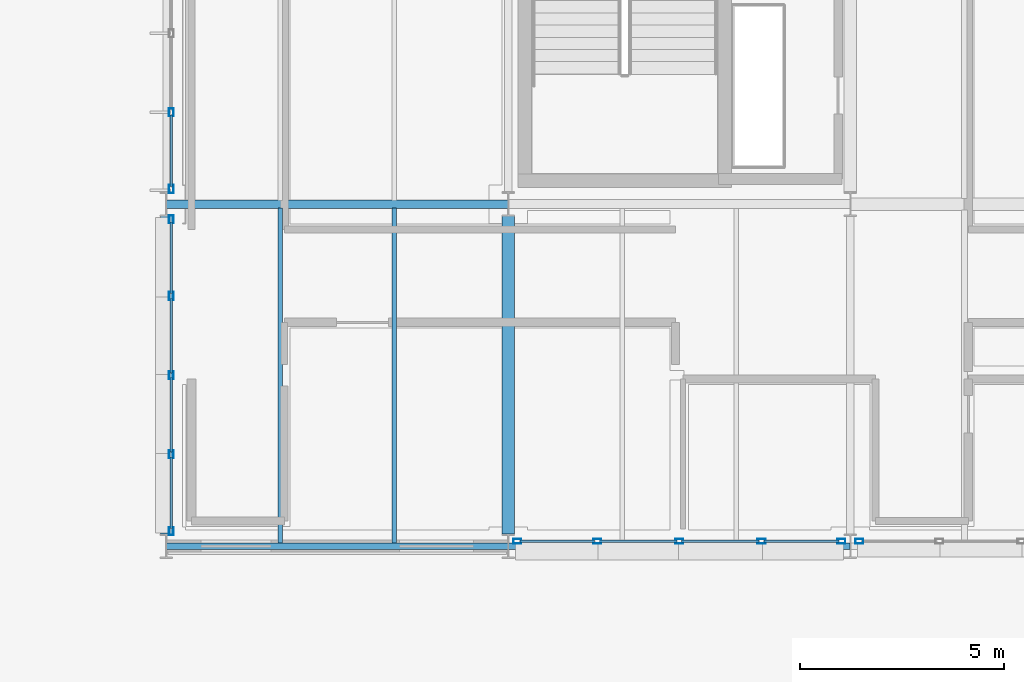
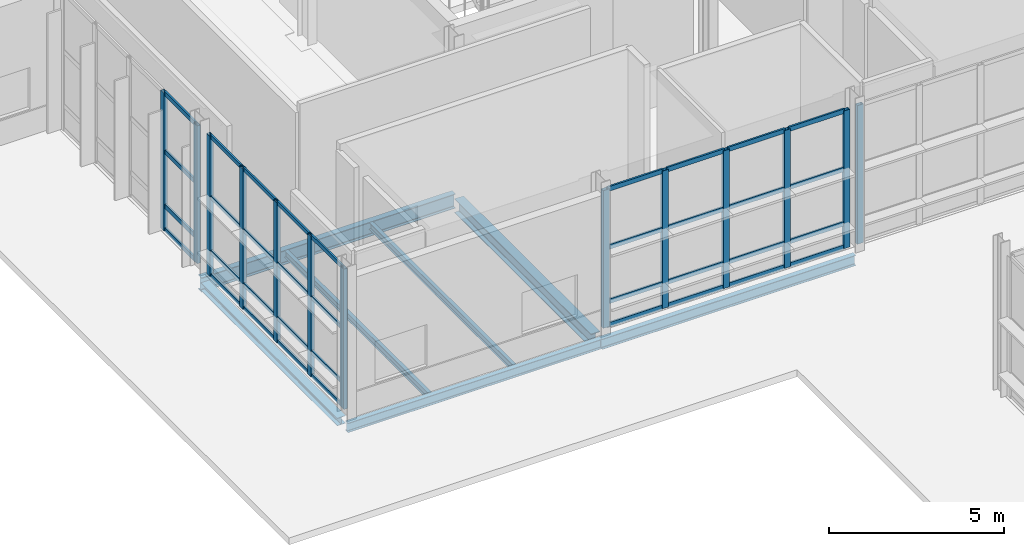
# One storey, part 63 of 124: 49 members, 7 beams, 4 elements without a shape of their own.
"""IFC4 building model written with IfcOpenShell, lengths in metres."""

from ifc_helpers import new_model, si_unit, direction, frame, origin, origin_2d, place, context, subcontext, project, spatial, hollow_rectangle, i_section, extrude, material, material_profile, profile_set, type_object, element, aggregate, save


model = new_model("IFC4")

# Units and contexts
model_context = context("Model", 3, precision=1e-05, world=origin(), true_north=direction((0.0, 1.0)))
body_context = subcontext(model_context, "Body", "Model", "MODEL_VIEW")
ifc_project = project(units=[si_unit("LENGTHUNIT", "METRE"), si_unit("AREAUNIT", "SQUARE_METRE"), si_unit("VOLUMEUNIT", "CUBIC_METRE"), si_unit("PLANEANGLEUNIT", "RADIAN"), si_unit("MASSUNIT", "GRAM", prefix="KILO")], contexts=[model_context])

# Site, building, storey
site_placement = place(None, origin())
site = spatial("IfcSite", under=ifc_project, at=site_placement, CompositionType="ELEMENT")
building_placement = place(site_placement, origin())
building = spatial("IfcBuilding", under=site, at=building_placement, Name="Mersafa Astral City Hall", CompositionType="ELEMENT")
storey_placement = place(building_placement, origin())
storey = spatial("IfcBuildingStorey", under=building, at=storey_placement, Name="L00", CompositionType="ELEMENT", Elevation=0.0)

# Curtain wall, members
ifc_material_1 = material(Name="Anodised bronze aluminium framing", Category="aluminium")
curtain_wall_type_1 = type_object("IfcCurtainWallType", Name="ENV-CW-5", PredefinedType="USERDEFINED", material=ifc_material_1)
curtain_wall_1_placement = place(storey_placement, origin())
curtain_wall_1 = element("IfcCurtainWall", 1, at=curtain_wall_1_placement, inside=storey, type_object=curtain_wall_type_1, Name="L00 Unitised solar curtain wall 16", ObjectType="UNITISED CURTAIN WALL", PredefinedType="USERDEFINED")
ifc_material_profile_1 = material_profile(ifc_material_1, hollow_rectangle(XDim=0.1201171875, YDim=0.199951171875, WallThickness=0.008056640625, at=origin_2d()), Name="RHS 120x200x8")
ifc_profile_set_1 = profile_set([ifc_material_profile_1], Name="Anodised bronze aluminium framing")
member_type_1 = type_object("IfcMemberType", Name="ENV-CW-MUL-2", PredefinedType="MULLION", material=ifc_profile_set_1)
member_1_placement = place(storey_placement, frame((142.919921875, 111.4560546875, -0.001953125), z_axis=(0.0, 0.0, 1.0), x_axis=(1.0, 0.0, 0.0)))
member_1 = element("IfcMember", 2, at=member_1_placement, type_object=member_type_1, Name="CW-5 mullion 4", PredefinedType="MULLION", context=body_context, shape_type="SweptSolid", body=[
    extrude(hollow_rectangle(XDim=0.1201171875, YDim=0.199951171875, WallThickness=0.008056640625, at=origin_2d()), origin(), (0.0, 0.0, 1.0), 4.81396484375),
])
member_2_placement = place(storey_placement, frame((142.919921875, 109.572021484375, -0.001953125), z_axis=(0.0, 0.0, 1.0), x_axis=(1.0, 0.0, 0.0)))
member_2 = element("IfcMember", 3, at=member_2_placement, type_object=member_type_1, Name="CW-5 mullion 5", PredefinedType="MULLION", context=body_context, shape_type="SweptSolid", body=[
    extrude(hollow_rectangle(XDim=0.1201171875, YDim=0.199951171875, WallThickness=0.008056640625, at=origin_2d()), origin(), (0.0, 0.0, 1.0), 4.81396484375),
])

curtain_wall_type_2 = type_object("IfcCurtainWallType", Name="ENV-CW-6", PredefinedType="USERDEFINED", material=ifc_material_1)
curtain_wall_2_placement = place(storey_placement, origin())
curtain_wall_2 = element("IfcCurtainWall", 4, at=curtain_wall_2_placement, inside=storey, type_object=curtain_wall_type_2, Name="L00 Unitised solar curtain wall 17", ObjectType="UNITISED CURTAIN WALL", PredefinedType="USERDEFINED")
member_3_placement = place(storey_placement, frame((142.919921875, 108.827880859375, -0.001953125), z_axis=(0.0, 0.0, 1.0), x_axis=(1.0, 0.0, 0.0)))
member_3 = element("IfcMember", 5, at=member_3_placement, type_object=member_type_1, Name="CW-6 mullion 1", PredefinedType="MULLION", context=body_context, shape_type="SweptSolid", body=[
    extrude(hollow_rectangle(XDim=0.1201171875, YDim=0.199951171875, WallThickness=0.008056640625, at=origin_2d()), origin(), (0.0, 0.0, 1.0), 4.904052734375),
])
member_4_placement = place(storey_placement, frame((142.919921875, 106.944091796875, -0.001953125), z_axis=(0.0, 0.0, 1.0), x_axis=(1.0, 0.0, 0.0)))
member_4 = element("IfcMember", 6, at=member_4_placement, type_object=member_type_1, Name="CW-6 mullion 2", PredefinedType="MULLION", context=body_context, shape_type="SweptSolid", body=[
    extrude(hollow_rectangle(XDim=0.1201171875, YDim=0.199951171875, WallThickness=0.008056640625, at=origin_2d()), origin(), (0.0, 0.0, 1.0), 4.904052734375),
])
member_5_placement = place(storey_placement, frame((142.919921875, 105.0, -0.001953125), z_axis=(0.0, 0.0, 1.0), x_axis=(1.0, 0.0, 0.0)))
member_5 = element("IfcMember", 7, at=member_5_placement, type_object=member_type_1, Name="CW-6 mullion 3", PredefinedType="MULLION", context=body_context, shape_type="SweptSolid", body=[
    extrude(hollow_rectangle(XDim=0.1201171875, YDim=0.199951171875, WallThickness=0.008056640625, at=origin_2d()), origin(), (0.0, 0.0, 1.0), 4.904052734375),
])
member_6_placement = place(storey_placement, frame((142.919921875, 103.055908203125, -0.001953125), z_axis=(0.0, 0.0, 1.0), x_axis=(1.0, 0.0, 0.0)))
member_6 = element("IfcMember", 8, at=member_6_placement, type_object=member_type_1, Name="CW-6 mullion 4", PredefinedType="MULLION", context=body_context, shape_type="SweptSolid", body=[
    extrude(hollow_rectangle(XDim=0.1201171875, YDim=0.199951171875, WallThickness=0.008056640625, at=origin_2d()), origin(), (0.0, 0.0, 1.0), 4.904052734375),
])
member_7_placement = place(storey_placement, frame((142.919921875, 101.172119140625, -0.001953125), z_axis=(0.0, 0.0, 1.0), x_axis=(1.0, 0.0, 0.0)))
member_7 = element("IfcMember", 9, at=member_7_placement, type_object=member_type_1, Name="CW-6 mullion 5", PredefinedType="MULLION", context=body_context, shape_type="SweptSolid", body=[
    extrude(hollow_rectangle(XDim=0.1201171875, YDim=0.199951171875, WallThickness=0.008056640625, at=origin_2d()), origin(), (0.0, 0.0, 1.0), 4.904052734375),
])

curtain_wall_type_3 = type_object("IfcCurtainWallType", Name="ENV-CW-1", PredefinedType="USERDEFINED", material=ifc_material_1)
curtain_wall_3_placement = place(storey_placement, origin())
curtain_wall_3 = element("IfcCurtainWall", 10, at=curtain_wall_3_placement, inside=storey, type_object=curtain_wall_type_3, Name="L00 Unitised solar curtain wall 18", ObjectType="UNITISED CURTAIN WALL", PredefinedType="USERDEFINED")
member_8_placement = place(storey_placement, frame((151.422119140625, 100.919921875, -0.001953125), z_axis=(0.0, 0.0, 1.0), x_axis=(0.0, 1.0, 0.0)))
member_8 = element("IfcMember", 11, at=member_8_placement, type_object=member_type_1, Name="CW-1 mullion 1", PredefinedType="MULLION", context=body_context, shape_type="SweptSolid", body=[
    extrude(hollow_rectangle(XDim=0.1201171875, YDim=0.199951171875, WallThickness=0.008056640625, at=origin_2d()), origin(), (0.0, 0.0, 1.0), 4.81396484375),
])
member_9_placement = place(storey_placement, frame((153.381103515625, 100.919921875, -0.001953125), z_axis=(0.0, 0.0, 1.0), x_axis=(0.0, 1.0, 0.0)))
member_9 = element("IfcMember", 12, at=member_9_placement, type_object=member_type_1, Name="CW-1 mullion 2", PredefinedType="MULLION", context=body_context, shape_type="SweptSolid", body=[
    extrude(hollow_rectangle(XDim=0.1201171875, YDim=0.199951171875, WallThickness=0.008056640625, at=origin_2d()), origin(), (0.0, 0.0, 1.0), 4.81396484375),
])
member_10_placement = place(storey_placement, frame((155.39990234375, 100.919921875, -0.001953125), z_axis=(0.0, 0.0, 1.0), x_axis=(0.0, 1.0, 0.0)))
member_10 = element("IfcMember", 13, at=member_10_placement, type_object=member_type_1, Name="CW-1 mullion 3", PredefinedType="MULLION", context=body_context, shape_type="SweptSolid", body=[
    extrude(hollow_rectangle(XDim=0.1201171875, YDim=0.199951171875, WallThickness=0.008056640625, at=origin_2d()), origin(), (0.0, 0.0, 1.0), 4.81396484375),
])
member_11_placement = place(storey_placement, frame((157.4189453125, 100.919921875, -0.001953125), z_axis=(0.0, 0.0, 1.0), x_axis=(0.0, 1.0, 0.0)))
member_11 = element("IfcMember", 14, at=member_11_placement, type_object=member_type_1, Name="CW-1 mullion 4", PredefinedType="MULLION", context=body_context, shape_type="SweptSolid", body=[
    extrude(hollow_rectangle(XDim=0.1201171875, YDim=0.199951171875, WallThickness=0.008056640625, at=origin_2d()), origin(), (0.0, 0.0, 1.0), 4.81396484375),
])
member_12_placement = place(storey_placement, frame((159.3779296875, 100.919921875, -0.001953125), z_axis=(0.0, 0.0, 1.0), x_axis=(0.0, 1.0, 0.0)))
member_12 = element("IfcMember", 15, at=member_12_placement, type_object=member_type_1, Name="CW-1 mullion 5", PredefinedType="MULLION", context=body_context, shape_type="SweptSolid", body=[
    extrude(hollow_rectangle(XDim=0.1201171875, YDim=0.199951171875, WallThickness=0.008056640625, at=origin_2d()), origin(), (0.0, 0.0, 1.0), 4.81396484375),
])

# Curtain wall, member
curtain_wall_type_4 = type_object("IfcCurtainWallType", Name="ENV-CW-2", PredefinedType="USERDEFINED", material=ifc_material_1)
curtain_wall_4_placement = place(storey_placement, origin())
curtain_wall_4 = element("IfcCurtainWall", 16, at=curtain_wall_4_placement, inside=storey, type_object=curtain_wall_type_4, Name="L00 Unitised solar curtain wall 19", ObjectType="UNITISED CURTAIN WALL", PredefinedType="USERDEFINED")
member_13_placement = place(storey_placement, frame((159.822021484375, 100.919921875, -0.001953125), z_axis=(0.0, 0.0, 1.0), x_axis=(0.0, 1.0, 0.0)))
member_13 = element("IfcMember", 17, at=member_13_placement, type_object=member_type_1, Name="CW-2 mullion 1", PredefinedType="MULLION", context=body_context, shape_type="SweptSolid", body=[
    extrude(hollow_rectangle(XDim=0.1201171875, YDim=0.199951171875, WallThickness=0.008056640625, at=origin_2d()), origin(), (0.0, 0.0, 1.0), 4.843994140625),
])
aggregate(curtain_wall_4, [member_13])

# Member
ifc_material_profile_2 = material_profile(ifc_material_1, hollow_rectangle(XDim=0.06005859375, YDim=0.139892578125, WallThickness=0.00390625, at=origin_2d()), Name="RHS 60x140x4")
ifc_profile_set_2 = profile_set([ifc_material_profile_2], Name="Anodised bronze aluminium framing")
member_type_2 = type_object("IfcMemberType", Name="ENV-CW-TRN-1", PredefinedType="USERDEFINED", material=ifc_profile_set_2)
member_14_placement = place(storey_placement, frame((142.919921875, 108.76806640625, 0.028076171875), z_axis=(0.0, -1.0, 0.0), x_axis=(1.0, 0.0, 0.0)))
member_14 = element("IfcMember", 18, at=member_14_placement, type_object=member_type_2, Name="CW-6 transom 1.1", ObjectType="TRANSOM", PredefinedType="USERDEFINED", context=body_context, shape_type="SweptSolid", body=[
    extrude(hollow_rectangle(XDim=0.06005859375, YDim=0.139892578125, WallThickness=0.00390625, at=origin_2d()), origin(), (0.0, 0.0, 1.0), 1.76416015625),
])

member_15_placement = place(storey_placement, frame((142.919921875, 108.76806640625, 0.85009765625), z_axis=(0.0, -1.0, 0.0), x_axis=(1.0, 0.0, 0.0)))
member_15 = element("IfcMember", 19, at=member_15_placement, type_object=member_type_2, Name="CW-6 transom 1.2", ObjectType="TRANSOM", PredefinedType="USERDEFINED", context=body_context, shape_type="SweptSolid", body=[
    extrude(hollow_rectangle(XDim=0.06005859375, YDim=0.139892578125, WallThickness=0.00390625, at=origin_2d()), origin(), (0.0, 0.0, 1.0), 1.76416015625),
])

member_16_placement = place(storey_placement, frame((142.919921875, 108.76806640625, 2.75), z_axis=(0.0, -1.0, 0.0), x_axis=(1.0, 0.0, 0.0)))
member_16 = element("IfcMember", 20, at=member_16_placement, type_object=member_type_2, Name="CW-6 transom 1.3", ObjectType="TRANSOM", PredefinedType="USERDEFINED", context=body_context, shape_type="SweptSolid", body=[
    extrude(hollow_rectangle(XDim=0.06005859375, YDim=0.139892578125, WallThickness=0.00390625, at=origin_2d()), origin(), (0.0, 0.0, 1.0), 1.76416015625),
])

member_17_placement = place(storey_placement, frame((142.919921875, 108.76806640625, 4.8720703125), z_axis=(0.0, -1.0, 0.0), x_axis=(1.0, 0.0, 0.0)))
member_17 = element("IfcMember", 21, at=member_17_placement, type_object=member_type_2, Name="CW-6 transom 1.4", ObjectType="TRANSOM", PredefinedType="USERDEFINED", context=body_context, shape_type="SweptSolid", body=[
    extrude(hollow_rectangle(XDim=0.06005859375, YDim=0.139892578125, WallThickness=0.00390625, at=origin_2d()), origin(), (0.0, 0.0, 1.0), 1.76416015625),
])

member_18_placement = place(storey_placement, frame((142.919921875, 106.884033203125, 0.028076171875), z_axis=(0.0, -1.0, 0.0), x_axis=(1.0, 0.0, 0.0)))
member_18 = element("IfcMember", 22, at=member_18_placement, type_object=member_type_2, Name="CW-6 transom 2.1", ObjectType="TRANSOM", PredefinedType="USERDEFINED", context=body_context, shape_type="SweptSolid", body=[
    extrude(hollow_rectangle(XDim=0.06005859375, YDim=0.139892578125, WallThickness=0.00390625, at=origin_2d()), origin(), (0.0, 0.0, 1.0), 1.823974609375),
])

member_19_placement = place(storey_placement, frame((142.919921875, 106.884033203125, 0.85009765625), z_axis=(0.0, -1.0, 0.0), x_axis=(1.0, 0.0, 0.0)))
member_19 = element("IfcMember", 23, at=member_19_placement, type_object=member_type_2, Name="CW-6 transom 2.2", ObjectType="TRANSOM", PredefinedType="USERDEFINED", context=body_context, shape_type="SweptSolid", body=[
    extrude(hollow_rectangle(XDim=0.06005859375, YDim=0.139892578125, WallThickness=0.00390625, at=origin_2d()), origin(), (0.0, 0.0, 1.0), 1.823974609375),
])

member_20_placement = place(storey_placement, frame((142.919921875, 106.884033203125, 2.75), z_axis=(0.0, -1.0, 0.0), x_axis=(1.0, 0.0, 0.0)))
member_20 = element("IfcMember", 24, at=member_20_placement, type_object=member_type_2, Name="CW-6 transom 2.3", ObjectType="TRANSOM", PredefinedType="USERDEFINED", context=body_context, shape_type="SweptSolid", body=[
    extrude(hollow_rectangle(XDim=0.06005859375, YDim=0.139892578125, WallThickness=0.00390625, at=origin_2d()), origin(), (0.0, 0.0, 1.0), 1.823974609375),
])

member_21_placement = place(storey_placement, frame((142.919921875, 106.884033203125, 4.8720703125), z_axis=(0.0, -1.0, 0.0), x_axis=(1.0, 0.0, 0.0)))
member_21 = element("IfcMember", 25, at=member_21_placement, type_object=member_type_2, Name="CW-6 transom 2.4", ObjectType="TRANSOM", PredefinedType="USERDEFINED", context=body_context, shape_type="SweptSolid", body=[
    extrude(hollow_rectangle(XDim=0.06005859375, YDim=0.139892578125, WallThickness=0.00390625, at=origin_2d()), origin(), (0.0, 0.0, 1.0), 1.823974609375),
])

member_22_placement = place(storey_placement, frame((142.919921875, 104.93994140625, 0.028076171875), z_axis=(0.0, -1.0, 0.0), x_axis=(1.0, 0.0, 0.0)))
member_22 = element("IfcMember", 26, at=member_22_placement, type_object=member_type_2, Name="CW-6 transom 3.1", ObjectType="TRANSOM", PredefinedType="USERDEFINED", context=body_context, shape_type="SweptSolid", body=[
    extrude(hollow_rectangle(XDim=0.06005859375, YDim=0.139892578125, WallThickness=0.00390625, at=origin_2d()), origin(), (0.0, 0.0, 1.0), 1.823974609375),
])

member_23_placement = place(storey_placement, frame((142.919921875, 104.93994140625, 0.85009765625), z_axis=(0.0, -1.0, 0.0), x_axis=(1.0, 0.0, 0.0)))
member_23 = element("IfcMember", 27, at=member_23_placement, type_object=member_type_2, Name="CW-6 transom 3.2", ObjectType="TRANSOM", PredefinedType="USERDEFINED", context=body_context, shape_type="SweptSolid", body=[
    extrude(hollow_rectangle(XDim=0.06005859375, YDim=0.139892578125, WallThickness=0.00390625, at=origin_2d()), origin(), (0.0, 0.0, 1.0), 1.823974609375),
])

member_24_placement = place(storey_placement, frame((142.919921875, 104.93994140625, 2.75), z_axis=(0.0, -1.0, 0.0), x_axis=(1.0, 0.0, 0.0)))
member_24 = element("IfcMember", 28, at=member_24_placement, type_object=member_type_2, Name="CW-6 transom 3.3", ObjectType="TRANSOM", PredefinedType="USERDEFINED", context=body_context, shape_type="SweptSolid", body=[
    extrude(hollow_rectangle(XDim=0.06005859375, YDim=0.139892578125, WallThickness=0.00390625, at=origin_2d()), origin(), (0.0, 0.0, 1.0), 1.823974609375),
])

member_25_placement = place(storey_placement, frame((142.919921875, 104.93994140625, 4.8720703125), z_axis=(0.0, -1.0, 0.0), x_axis=(1.0, 0.0, 0.0)))
member_25 = element("IfcMember", 29, at=member_25_placement, type_object=member_type_2, Name="CW-6 transom 3.4", ObjectType="TRANSOM", PredefinedType="USERDEFINED", context=body_context, shape_type="SweptSolid", body=[
    extrude(hollow_rectangle(XDim=0.06005859375, YDim=0.139892578125, WallThickness=0.00390625, at=origin_2d()), origin(), (0.0, 0.0, 1.0), 1.823974609375),
])

member_26_placement = place(storey_placement, frame((142.919921875, 102.99609375, 0.028076171875), z_axis=(0.0, -1.0, 0.0), x_axis=(1.0, 0.0, 0.0)))
member_26 = element("IfcMember", 30, at=member_26_placement, type_object=member_type_2, Name="CW-6 transom 4.1", ObjectType="TRANSOM", PredefinedType="USERDEFINED", context=body_context, shape_type="SweptSolid", body=[
    extrude(hollow_rectangle(XDim=0.06005859375, YDim=0.139892578125, WallThickness=0.00390625, at=origin_2d()), origin(), (0.0, 0.0, 1.0), 1.76416015625),
])

member_27_placement = place(storey_placement, frame((142.919921875, 102.99609375, 0.85009765625), z_axis=(0.0, -1.0, 0.0), x_axis=(1.0, 0.0, 0.0)))
member_27 = element("IfcMember", 31, at=member_27_placement, type_object=member_type_2, Name="CW-6 transom 4.2", ObjectType="TRANSOM", PredefinedType="USERDEFINED", context=body_context, shape_type="SweptSolid", body=[
    extrude(hollow_rectangle(XDim=0.06005859375, YDim=0.139892578125, WallThickness=0.00390625, at=origin_2d()), origin(), (0.0, 0.0, 1.0), 1.76416015625),
])

member_28_placement = place(storey_placement, frame((142.919921875, 102.99609375, 2.75), z_axis=(0.0, -1.0, 0.0), x_axis=(1.0, 0.0, 0.0)))
member_28 = element("IfcMember", 32, at=member_28_placement, type_object=member_type_2, Name="CW-6 transom 4.3", ObjectType="TRANSOM", PredefinedType="USERDEFINED", context=body_context, shape_type="SweptSolid", body=[
    extrude(hollow_rectangle(XDim=0.06005859375, YDim=0.139892578125, WallThickness=0.00390625, at=origin_2d()), origin(), (0.0, 0.0, 1.0), 1.76416015625),
])

member_29_placement = place(storey_placement, frame((142.919921875, 102.99609375, 4.8720703125), z_axis=(0.0, -1.0, 0.0), x_axis=(1.0, 0.0, 0.0)))
member_29 = element("IfcMember", 33, at=member_29_placement, type_object=member_type_2, Name="CW-6 transom 4.4", ObjectType="TRANSOM", PredefinedType="USERDEFINED", context=body_context, shape_type="SweptSolid", body=[
    extrude(hollow_rectangle(XDim=0.06005859375, YDim=0.139892578125, WallThickness=0.00390625, at=origin_2d()), origin(), (0.0, 0.0, 1.0), 1.76416015625),
])

aggregate(curtain_wall_2, [member_3, member_4, member_5, member_6, member_7, member_14, member_15, member_16, member_17, member_18, member_19, member_20, member_21, member_22, member_23, member_24, member_25, member_26, member_27, member_28, member_29])

ifc_material_profile_3 = material_profile(ifc_material_1, hollow_rectangle(XDim=0.06005859375, YDim=0.159912109375, WallThickness=0.00390625, at=origin_2d()), Name="RHS 60x160x4")
ifc_profile_set_3 = profile_set([ifc_material_profile_3], Name="Anodised bronze aluminium framing")
member_type_3 = type_object("IfcMemberType", Name="ENV-CW-TRN-2", PredefinedType="USERDEFINED", material=ifc_profile_set_3)
member_30_placement = place(storey_placement, frame((142.919921875, 111.39599609375, 0.028076171875), z_axis=(0.0, -1.0, 0.0), x_axis=(1.0, 0.0, 0.0)))
member_30 = element("IfcMember", 34, at=member_30_placement, type_object=member_type_3, Name="CW-5 transom 4.1", ObjectType="TRANSOM", PredefinedType="USERDEFINED", context=body_context, shape_type="SweptSolid", body=[
    extrude(hollow_rectangle(XDim=0.06005859375, YDim=0.159912109375, WallThickness=0.00390625, at=origin_2d()), origin(), (0.0, 0.0, 1.0), 1.763916015625),
])

member_31_placement = place(storey_placement, frame((142.919921875, 111.39599609375, 0.85009765625), z_axis=(0.0, -1.0, 0.0), x_axis=(1.0, 0.0, 0.0)))
member_31 = element("IfcMember", 35, at=member_31_placement, type_object=member_type_3, Name="CW-5 transom 4.2", ObjectType="TRANSOM", PredefinedType="USERDEFINED", context=body_context, shape_type="SweptSolid", body=[
    extrude(hollow_rectangle(XDim=0.06005859375, YDim=0.159912109375, WallThickness=0.00390625, at=origin_2d()), origin(), (0.0, 0.0, 1.0), 1.763916015625),
])

member_32_placement = place(storey_placement, frame((142.919921875, 111.39599609375, 2.75), z_axis=(0.0, -1.0, 0.0), x_axis=(1.0, 0.0, 0.0)))
member_32 = element("IfcMember", 36, at=member_32_placement, type_object=member_type_3, Name="CW-5 transom 4.3", ObjectType="TRANSOM", PredefinedType="USERDEFINED", context=body_context, shape_type="SweptSolid", body=[
    extrude(hollow_rectangle(XDim=0.06005859375, YDim=0.159912109375, WallThickness=0.00390625, at=origin_2d()), origin(), (0.0, 0.0, 1.0), 1.763916015625),
])

member_33_placement = place(storey_placement, frame((142.919921875, 111.39599609375, 4.781982421875), z_axis=(0.0, -1.0, 0.0), x_axis=(1.0, 0.0, 0.0)))
member_33 = element("IfcMember", 37, at=member_33_placement, type_object=member_type_3, Name="CW-5 transom 4.4", ObjectType="TRANSOM", PredefinedType="USERDEFINED", context=body_context, shape_type="SweptSolid", body=[
    extrude(hollow_rectangle(XDim=0.06005859375, YDim=0.159912109375, WallThickness=0.00390625, at=origin_2d()), origin(), (0.0, 0.0, 1.0), 1.763916015625),
])

aggregate(curtain_wall_1, [member_1, member_2, member_30, member_31, member_32, member_33])

member_34_placement = place(storey_placement, frame((151.48193359375, 100.919921875, 0.028076171875), z_axis=(1.0, 0.0, 0.0), x_axis=(0.0, 1.0, 0.0)))
member_34 = element("IfcMember", 38, at=member_34_placement, type_object=member_type_3, Name="CW-1 transom 1.1", ObjectType="TRANSOM", PredefinedType="USERDEFINED", context=body_context, shape_type="SweptSolid", body=[
    extrude(hollow_rectangle(XDim=0.06005859375, YDim=0.159912109375, WallThickness=0.00390625, at=origin_2d()), origin(), (0.0, 0.0, 1.0), 1.839111328125),
])

member_35_placement = place(storey_placement, frame((151.48193359375, 100.919921875, 0.85009765625), z_axis=(1.0, 0.0, 0.0), x_axis=(0.0, 1.0, 0.0)))
member_35 = element("IfcMember", 39, at=member_35_placement, type_object=member_type_3, Name="CW-1 transom 1.2", ObjectType="TRANSOM", PredefinedType="USERDEFINED", context=body_context, shape_type="SweptSolid", body=[
    extrude(hollow_rectangle(XDim=0.06005859375, YDim=0.159912109375, WallThickness=0.00390625, at=origin_2d()), origin(), (0.0, 0.0, 1.0), 1.839111328125),
])

member_36_placement = place(storey_placement, frame((151.48193359375, 100.919921875, 2.75), z_axis=(1.0, 0.0, 0.0), x_axis=(0.0, 1.0, 0.0)))
member_36 = element("IfcMember", 40, at=member_36_placement, type_object=member_type_3, Name="CW-1 transom 1.3", ObjectType="TRANSOM", PredefinedType="USERDEFINED", context=body_context, shape_type="SweptSolid", body=[
    extrude(hollow_rectangle(XDim=0.06005859375, YDim=0.159912109375, WallThickness=0.00390625, at=origin_2d()), origin(), (0.0, 0.0, 1.0), 1.839111328125),
])

member_37_placement = place(storey_placement, frame((151.48193359375, 100.919921875, 4.781982421875), z_axis=(1.0, 0.0, 0.0), x_axis=(0.0, 1.0, 0.0)))
member_37 = element("IfcMember", 41, at=member_37_placement, type_object=member_type_3, Name="CW-1 transom 1.4", ObjectType="TRANSOM", PredefinedType="USERDEFINED", context=body_context, shape_type="SweptSolid", body=[
    extrude(hollow_rectangle(XDim=0.06005859375, YDim=0.159912109375, WallThickness=0.00390625, at=origin_2d()), origin(), (0.0, 0.0, 1.0), 1.839111328125),
])

member_38_placement = place(storey_placement, frame((153.44091796875, 100.919921875, 0.028076171875), z_axis=(1.0, 0.0, 0.0), x_axis=(0.0, 1.0, 0.0)))
member_38 = element("IfcMember", 42, at=member_38_placement, type_object=member_type_3, Name="CW-1 transom 2.1", ObjectType="TRANSOM", PredefinedType="USERDEFINED", context=body_context, shape_type="SweptSolid", body=[
    extrude(hollow_rectangle(XDim=0.06005859375, YDim=0.159912109375, WallThickness=0.00390625, at=origin_2d()), origin(), (0.0, 0.0, 1.0), 1.899169921875),
])

member_39_placement = place(storey_placement, frame((153.44091796875, 100.919921875, 0.85009765625), z_axis=(1.0, 0.0, 0.0), x_axis=(0.0, 1.0, 0.0)))
member_39 = element("IfcMember", 43, at=member_39_placement, type_object=member_type_3, Name="CW-1 transom 2.2", ObjectType="TRANSOM", PredefinedType="USERDEFINED", context=body_context, shape_type="SweptSolid", body=[
    extrude(hollow_rectangle(XDim=0.06005859375, YDim=0.159912109375, WallThickness=0.00390625, at=origin_2d()), origin(), (0.0, 0.0, 1.0), 1.899169921875),
])

member_40_placement = place(storey_placement, frame((153.44091796875, 100.919921875, 2.75), z_axis=(1.0, 0.0, 0.0), x_axis=(0.0, 1.0, 0.0)))
member_40 = element("IfcMember", 44, at=member_40_placement, type_object=member_type_3, Name="CW-1 transom 2.3", ObjectType="TRANSOM", PredefinedType="USERDEFINED", context=body_context, shape_type="SweptSolid", body=[
    extrude(hollow_rectangle(XDim=0.06005859375, YDim=0.159912109375, WallThickness=0.00390625, at=origin_2d()), origin(), (0.0, 0.0, 1.0), 1.899169921875),
])

member_41_placement = place(storey_placement, frame((153.44091796875, 100.919921875, 4.781982421875), z_axis=(1.0, 0.0, 0.0), x_axis=(0.0, 1.0, 0.0)))
member_41 = element("IfcMember", 45, at=member_41_placement, type_object=member_type_3, Name="CW-1 transom 2.4", ObjectType="TRANSOM", PredefinedType="USERDEFINED", context=body_context, shape_type="SweptSolid", body=[
    extrude(hollow_rectangle(XDim=0.06005859375, YDim=0.159912109375, WallThickness=0.00390625, at=origin_2d()), origin(), (0.0, 0.0, 1.0), 1.899169921875),
])

member_42_placement = place(storey_placement, frame((155.4599609375, 100.919921875, 0.028076171875), z_axis=(1.0, 0.0, 0.0), x_axis=(0.0, 1.0, 0.0)))
member_42 = element("IfcMember", 46, at=member_42_placement, type_object=member_type_3, Name="CW-1 transom 3.1", ObjectType="TRANSOM", PredefinedType="USERDEFINED", context=body_context, shape_type="SweptSolid", body=[
    extrude(hollow_rectangle(XDim=0.06005859375, YDim=0.159912109375, WallThickness=0.00390625, at=origin_2d()), origin(), (0.0, 0.0, 1.0), 1.89892578125),
])

member_43_placement = place(storey_placement, frame((155.4599609375, 100.919921875, 0.85009765625), z_axis=(1.0, 0.0, 0.0), x_axis=(0.0, 1.0, 0.0)))
member_43 = element("IfcMember", 47, at=member_43_placement, type_object=member_type_3, Name="CW-1 transom 3.2", ObjectType="TRANSOM", PredefinedType="USERDEFINED", context=body_context, shape_type="SweptSolid", body=[
    extrude(hollow_rectangle(XDim=0.06005859375, YDim=0.159912109375, WallThickness=0.00390625, at=origin_2d()), origin(), (0.0, 0.0, 1.0), 1.89892578125),
])

member_44_placement = place(storey_placement, frame((155.4599609375, 100.919921875, 2.75), z_axis=(1.0, 0.0, 0.0), x_axis=(0.0, 1.0, 0.0)))
member_44 = element("IfcMember", 48, at=member_44_placement, type_object=member_type_3, Name="CW-1 transom 3.3", ObjectType="TRANSOM", PredefinedType="USERDEFINED", context=body_context, shape_type="SweptSolid", body=[
    extrude(hollow_rectangle(XDim=0.06005859375, YDim=0.159912109375, WallThickness=0.00390625, at=origin_2d()), origin(), (0.0, 0.0, 1.0), 1.89892578125),
])

member_45_placement = place(storey_placement, frame((155.4599609375, 100.919921875, 4.781982421875), z_axis=(1.0, 0.0, 0.0), x_axis=(0.0, 1.0, 0.0)))
member_45 = element("IfcMember", 49, at=member_45_placement, type_object=member_type_3, Name="CW-1 transom 3.4", ObjectType="TRANSOM", PredefinedType="USERDEFINED", context=body_context, shape_type="SweptSolid", body=[
    extrude(hollow_rectangle(XDim=0.06005859375, YDim=0.159912109375, WallThickness=0.00390625, at=origin_2d()), origin(), (0.0, 0.0, 1.0), 1.89892578125),
])

member_46_placement = place(storey_placement, frame((157.47900390625, 100.919921875, 0.028076171875), z_axis=(1.0, 0.0, 0.0), x_axis=(0.0, 1.0, 0.0)))
member_46 = element("IfcMember", 50, at=member_46_placement, type_object=member_type_3, Name="CW-1 transom 4.1", ObjectType="TRANSOM", PredefinedType="USERDEFINED", context=body_context, shape_type="SweptSolid", body=[
    extrude(hollow_rectangle(XDim=0.06005859375, YDim=0.159912109375, WallThickness=0.00390625, at=origin_2d()), origin(), (0.0, 0.0, 1.0), 1.839111328125),
])

member_47_placement = place(storey_placement, frame((157.47900390625, 100.919921875, 0.85009765625), z_axis=(1.0, 0.0, 0.0), x_axis=(0.0, 1.0, 0.0)))
member_47 = element("IfcMember", 51, at=member_47_placement, type_object=member_type_3, Name="CW-1 transom 4.2", ObjectType="TRANSOM", PredefinedType="USERDEFINED", context=body_context, shape_type="SweptSolid", body=[
    extrude(hollow_rectangle(XDim=0.06005859375, YDim=0.159912109375, WallThickness=0.00390625, at=origin_2d()), origin(), (0.0, 0.0, 1.0), 1.839111328125),
])

member_48_placement = place(storey_placement, frame((157.47900390625, 100.919921875, 2.75), z_axis=(1.0, 0.0, 0.0), x_axis=(0.0, 1.0, 0.0)))
member_48 = element("IfcMember", 52, at=member_48_placement, type_object=member_type_3, Name="CW-1 transom 4.3", ObjectType="TRANSOM", PredefinedType="USERDEFINED", context=body_context, shape_type="SweptSolid", body=[
    extrude(hollow_rectangle(XDim=0.06005859375, YDim=0.159912109375, WallThickness=0.00390625, at=origin_2d()), origin(), (0.0, 0.0, 1.0), 1.839111328125),
])

member_49_placement = place(storey_placement, frame((157.47900390625, 100.919921875, 4.781982421875), z_axis=(1.0, 0.0, 0.0), x_axis=(0.0, 1.0, 0.0)))
member_49 = element("IfcMember", 53, at=member_49_placement, type_object=member_type_3, Name="CW-1 transom 4.4", ObjectType="TRANSOM", PredefinedType="USERDEFINED", context=body_context, shape_type="SweptSolid", body=[
    extrude(hollow_rectangle(XDim=0.06005859375, YDim=0.159912109375, WallThickness=0.00390625, at=origin_2d()), origin(), (0.0, 0.0, 1.0), 1.839111328125),
])

aggregate(curtain_wall_3, [member_8, member_9, member_10, member_11, member_12, member_34, member_35, member_36, member_37, member_38, member_39, member_40, member_41, member_42, member_43, member_44, member_45, member_46, member_47, member_48, member_49])

# Beams
ifc_material_2 = material(Name="Steel S355", Category="steel")
ifc_material_profile_4 = material_profile(ifc_material_2, i_section(OverallWidth=0.300048828125, OverallDepth=0.489990234375, WebThickness=0.011962890625, FlangeThickness=0.02294921875, FilletRadius=0.027099609375, at=origin_2d()), Name="HEA 500")
ifc_profile_set_4 = profile_set([ifc_material_profile_4], Name="Steel S355")
beam_type_1 = type_object("IfcBeamType", Name="STR-BM-HEA500", PredefinedType="BEAM", material=ifc_profile_set_4)
beam_1_placement = place(storey_placement, frame((151.199951171875, 101.094970703125, -0.4951171875), z_axis=(0.0, 1.0, 0.0), x_axis=(-1.0, 0.0, 0.0)))
element("IfcBeam", 54, at=beam_1_placement, inside=storey, type_object=beam_type_1, Name="L00 Primary girder Y 18-12", PredefinedType="BEAM", context=body_context, shape_type="SweptSolid", body=[
    extrude(i_section(OverallWidth=0.300048828125, OverallDepth=0.489990234375, WebThickness=0.011962890625, FlangeThickness=0.02294921875, FilletRadius=0.027099609375, at=origin_2d()), origin(), (0.0, 0.0, 1.0), 7.81005859375),
])
ifc_material_profile_5 = material_profile(ifc_material_2, i_section(OverallWidth=0.199951171875, OverallDepth=0.5, WebThickness=0.01025390625, FlangeThickness=0.01611328125, FilletRadius=0.02099609375, at=origin_2d()), Name="IPE 500")
ifc_profile_set_5 = profile_set([ifc_material_profile_5], Name="Steel S355")
beam_type_2 = type_object("IfcBeamType", Name="STR-BM-IPE500", PredefinedType="BEAM", material=ifc_profile_set_5)
beam_2_placement = place(storey_placement, frame((142.802978515625, 109.199951171875, -0.5), z_axis=(1.0, 0.0, 0.0), x_axis=(0.0, 1.0, 0.0)))
element("IfcBeam", 55, at=beam_2_placement, inside=storey, type_object=beam_type_2, Name="L00 Primary girder X 17-13", PredefinedType="BEAM", context=body_context, shape_type="SweptSolid", body=[
    extrude(i_section(OverallWidth=0.199951171875, OverallDepth=0.5, WebThickness=0.01025390625, FlangeThickness=0.01611328125, FilletRadius=0.02099609375, at=origin_2d()), origin(), (0.0, 0.0, 1.0), 8.39404296875),
])
ifc_material_profile_6 = material_profile(ifc_material_2, i_section(OverallWidth=0.1201171875, OverallDepth=0.239990234375, WebThickness=0.006103515625, FlangeThickness=0.009765625, FilletRadius=0.014892578125, at=origin_2d()), Name="IPE 240")
ifc_profile_set_6 = profile_set([ifc_material_profile_6], Name="Steel S355")
beam_type_3 = type_object("IfcBeamType", Name="STR-BM-JOIST-IPE240", PredefinedType="JOIST", material=ifc_profile_set_6)
for number, where, z_axis, x_axis, name in (
    (56, (145.60009765625, 100.875, -0.3701171875), (0.0, 1.0, 0.0), (-1.0, 0.0, 0.0), "L00 Composite secondary floor joist 172"),
    (57, (148.39990234375, 100.875, -0.3701171875), (0.0, 1.0, 0.0), (-1.0, 0.0, 0.0), "L00 Composite secondary floor joist 173"),
):
    element("IfcBeam", number, at=place(storey_placement, frame(where, z_axis=z_axis, x_axis=x_axis)), inside=storey, type_object=beam_type_3, Name=name, PredefinedType="JOIST", context=body_context, shape_type="SweptSolid", body=[
        extrude(i_section(OverallWidth=0.1201171875, OverallDepth=0.239990234375, WebThickness=0.006103515625, FlangeThickness=0.009765625, FilletRadius=0.014892578125, at=origin_2d()), origin(), (0.0, 0.0, 1.0), 8.22998046875),
    ])
ifc_material_profile_7 = material_profile(ifc_material_2, i_section(OverallWidth=0.280029296875, OverallDepth=0.27001953125, WebThickness=0.008056640625, FlangeThickness=0.012939453125, FilletRadius=0.02392578125, at=origin_2d()), Name="HEA 280")
ifc_profile_set_7 = profile_set([ifc_material_profile_7], Name="Steel S355")
beam_type_4 = type_object("IfcBeamType", Name="STR-BM-SPANDREL-HEA280", PredefinedType="SPANDREL", material=ifc_profile_set_7)
beam_3_placement = place(storey_placement, frame((142.800048828125, 101.094970703125, -0.385009765625), z_axis=(0.0, 1.0, 0.0), x_axis=(-1.0, 0.0, 0.0)))
element("IfcBeam", 58, at=beam_3_placement, inside=storey, type_object=beam_type_4, Name="L00 Primary girder Y 17-12", PredefinedType="SPANDREL", context=body_context, shape_type="SweptSolid", body=[
    extrude(i_section(OverallWidth=0.280029296875, OverallDepth=0.27001953125, WebThickness=0.008056640625, FlangeThickness=0.012939453125, FilletRadius=0.02392578125, at=origin_2d()), origin(), (0.0, 0.0, 1.0), 7.81005859375),
])
ifc_material_profile_8 = material_profile(ifc_material_2, i_section(OverallWidth=0.159912109375, OverallDepth=0.330078125, WebThickness=0.007568359375, FlangeThickness=0.011474609375, FilletRadius=0.01806640625, at=origin_2d()), Name="IPE 330")
ifc_profile_set_8 = profile_set([ifc_material_profile_8], Name="Steel S355")
beam_type_5 = type_object("IfcBeamType", Name="STR-BM-SPANDREL-IPE330", PredefinedType="SPANDREL", material=ifc_profile_set_8)
beam_4_placement = place(storey_placement, frame((142.802978515625, 100.800048828125, -0.4150390625), z_axis=(1.0, 0.0, 0.0), x_axis=(0.0, 1.0, 0.0)))
element("IfcBeam", 59, at=beam_4_placement, inside=storey, type_object=beam_type_5, Name="L00 Primary girder X 17-12", PredefinedType="SPANDREL", context=body_context, shape_type="SweptSolid", body=[
    extrude(i_section(OverallWidth=0.159912109375, OverallDepth=0.330078125, WebThickness=0.007568359375, FlangeThickness=0.011474609375, FilletRadius=0.01806640625, at=origin_2d()), origin(), (0.0, 0.0, 1.0), 8.39404296875),
])
ifc_material_profile_9 = material_profile(ifc_material_2, i_section(OverallWidth=0.169921875, OverallDepth=0.360107421875, WebThickness=0.008056640625, FlangeThickness=0.0126953125, FilletRadius=0.01806640625, at=origin_2d()), Name="IPE 360")
ifc_profile_set_9 = profile_set([ifc_material_profile_9], Name="Steel S355")
beam_type_6 = type_object("IfcBeamType", Name="STR-BM-SPANDREL-IPE360", PredefinedType="SPANDREL", material=ifc_profile_set_9)
beam_5_placement = place(storey_placement, frame((151.202880859375, 100.800048828125, -0.429931640625), z_axis=(1.0, 0.0, 0.0), x_axis=(0.0, 1.0, 0.0)))
element("IfcBeam", 60, at=beam_5_placement, inside=storey, type_object=beam_type_6, Name="L00 Primary girder X 18-12", PredefinedType="SPANDREL", context=body_context, shape_type="SweptSolid", body=[
    extrude(i_section(OverallWidth=0.169921875, OverallDepth=0.360107421875, WebThickness=0.008056640625, FlangeThickness=0.0126953125, FilletRadius=0.01806640625, at=origin_2d()), origin(), (0.0, 0.0, 1.0), 8.39404296875),
])

save(model, "model.ifc")
